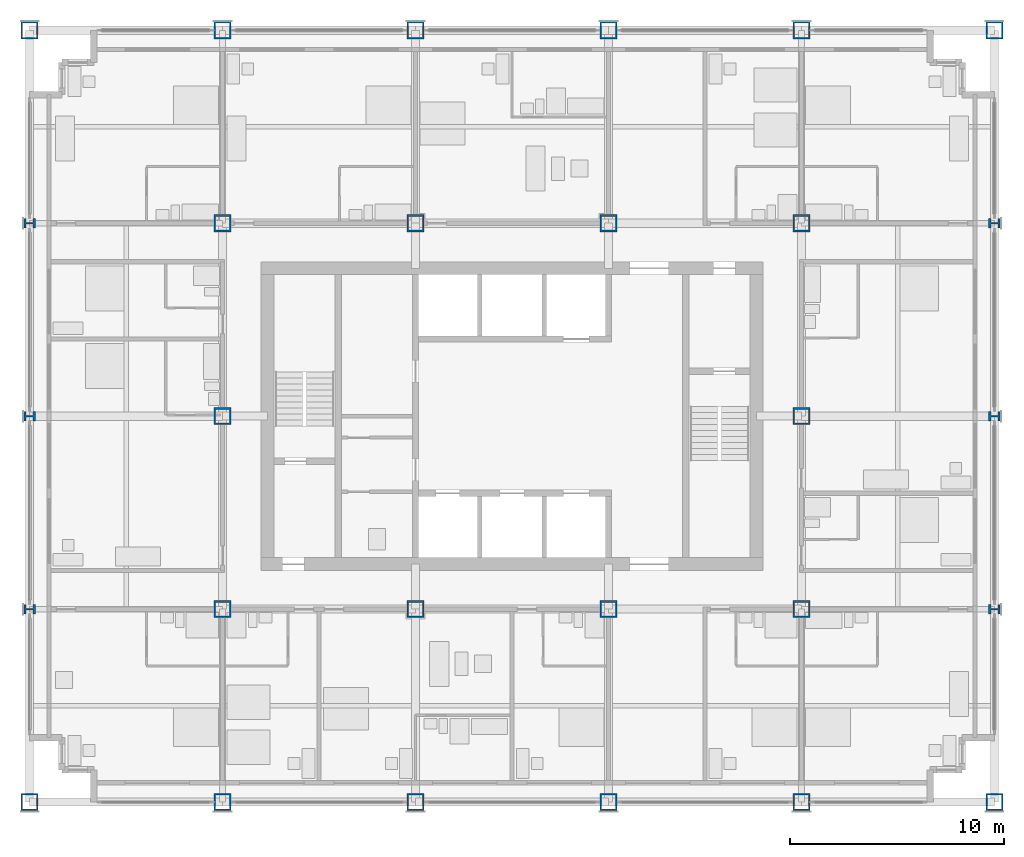
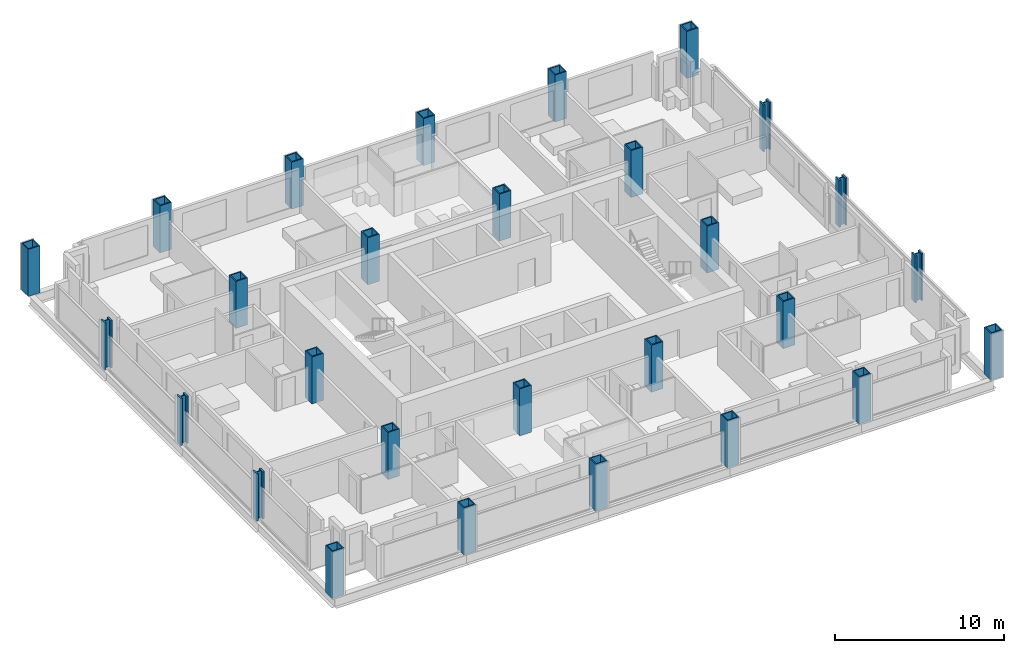
# One storey, part 1 of 16: 28 columns.
"""IFC4 building model written with IfcOpenShell, lengths in metres."""

from ifc_helpers import new_model, si_unit, direction, frame, origin, origin_2d, place, context, subcontext, project, spatial, hollow_rectangle, i_section, extrude, material, material_profile, profile_set, type_object, element, save


model = new_model("IFC4")

# Units and contexts
model_context = context("Model", 3, precision=1e-05, world=origin(), true_north=direction((0.0, 1.0)))
body_context = subcontext(model_context, "Body", "Model", "MODEL_VIEW")
ifc_project = project(units=[si_unit("LENGTHUNIT", "METRE"), si_unit("AREAUNIT", "SQUARE_METRE"), si_unit("VOLUMEUNIT", "CUBIC_METRE"), si_unit("PLANEANGLEUNIT", "RADIAN"), si_unit("MASSUNIT", "GRAM", prefix="KILO")], contexts=[model_context])

# Site, building, storey
site_placement = place(None, origin())
site = spatial("IfcSite", under=ifc_project, at=site_placement, CompositionType="ELEMENT")
building_placement = place(site_placement, origin())
building = spatial("IfcBuilding", under=site, at=building_placement, Name="Loomwork Tower", CompositionType="ELEMENT")
storey_placement = place(building_placement, frame((0.0, 0.0, 121.39990234375)))
storey = spatial("IfcBuildingStorey", under=building, at=storey_placement, Name="L32", CompositionType="ELEMENT", Elevation=121.39990234375)

# Columns
ifc_material_1 = material(Name="Steel ASTM A572 Grade 50 plate", Category="steel")
ifc_material_profile_1 = material_profile(ifc_material_1, hollow_rectangle(XDim=0.800048828125, YDim=0.800048828125, WallThickness=0.070068359375, at=origin_2d()), Name="BOX800x70")
ifc_profile_set_1 = profile_set([ifc_material_profile_1], Name="Steel ASTM A572 Grade 50 plate")
column_type_1 = type_object("IfcColumnType", Name="EXOSKELETON PIER BOX800x70", PredefinedType="COLUMN", material=ifc_profile_set_1)
for number, where, z_axis, x_axis, name in (
    (1, (0.0, 0.0, 0.0), (0.0, 0.0, 1.0), (1.0, 0.0, 0.0), "Exoskeleton Pier D/2 L32"),
    (2, (0.0, 36.0, 0.0), (0.0, 0.0, 1.0), (1.0, 0.0, 0.0), "Exoskeleton Pier H/2 L32"),
    (3, (9.0, 0.0, 0.0), (0.0, 0.0, 1.0), (1.0, 0.0, 0.0), "Exoskeleton Pier D/3 L32"),
    (4, (9.0, 36.0, 0.0), (0.0, 0.0, 1.0), (1.0, 0.0, 0.0), "Exoskeleton Pier H/3 L32"),
    (5, (18.0, 0.0, 0.0), (0.0, 0.0, 1.0), (1.0, 0.0, 0.0), "Exoskeleton Pier D/4 L32"),
    (6, (18.0, 36.0, 0.0), (0.0, 0.0, 1.0), (1.0, 0.0, 0.0), "Exoskeleton Pier H/4 L32"),
    (7, (27.0, 0.0, 0.0), (0.0, 0.0, 1.0), (1.0, 0.0, 0.0), "Exoskeleton Pier D/5 L32"),
    (8, (27.0, 36.0, 0.0), (0.0, 0.0, 1.0), (1.0, 0.0, 0.0), "Exoskeleton Pier H/5 L32"),
    (9, (36.0, 0.0, 0.0), (0.0, 0.0, 1.0), (1.0, 0.0, 0.0), "Exoskeleton Pier D/6 L32"),
    (10, (36.0, 36.0, 0.0), (0.0, 0.0, 1.0), (1.0, 0.0, 0.0), "Exoskeleton Pier H/6 L32"),
    (11, (45.0, 0.0, 0.0), (0.0, 0.0, 1.0), (1.0, 0.0, 0.0), "Exoskeleton Pier D/7 L32"),
    (12, (45.0, 36.0, 0.0), (0.0, 0.0, 1.0), (1.0, 0.0, 0.0), "Exoskeleton Pier H/7 L32"),
):
    element("IfcColumn", number, at=place(storey_placement, frame(where, z_axis=z_axis, x_axis=x_axis)), inside=storey, type_object=column_type_1, Name=name, PredefinedType="COLUMN", context=body_context, shape_type="SweptSolid", body=[
        extrude(hollow_rectangle(XDim=0.800048828125, YDim=0.800048828125, WallThickness=0.070068359375, at=origin_2d()), origin(), (0.0, 0.0, 1.0), 3.400146484375),
    ])
ifc_material_2 = material(Name="Steel ASTM A992", Category="steel")
ifc_material_profile_2 = material_profile(ifc_material_2, i_section(OverallWidth=0.449462890625, OverallDepth=0.548583984375, WebThickness=0.07177734375, FlangeThickness=0.11474609375, at=origin_2d()), Name="W14x665")
ifc_profile_set_2 = profile_set([ifc_material_profile_2], Name="Steel ASTM A992")
column_type_2 = type_object("IfcColumnType", Name="EXOSKELETON PIER W14x665", PredefinedType="COLUMN", material=ifc_profile_set_2)
for number, where, z_axis, x_axis, name in (
    (13, (0.0, 9.0, 0.0), (0.0, 0.0, 1.0), (0.0, 1.0, 0.0), "Exoskeleton Pier E/2 L32"),
    (14, (0.0, 18.0, 0.0), (0.0, 0.0, 1.0), (0.0, 1.0, 0.0), "Exoskeleton Pier F/2 L32"),
    (15, (0.0, 27.0, 0.0), (0.0, 0.0, 1.0), (0.0, 1.0, 0.0), "Exoskeleton Pier G/2 L32"),
    (16, (45.0, 9.0, 0.0), (0.0, 0.0, 1.0), (0.0, 1.0, 0.0), "Exoskeleton Pier E/7 L32"),
    (17, (45.0, 18.0, 0.0), (0.0, 0.0, 1.0), (0.0, 1.0, 0.0), "Exoskeleton Pier F/7 L32"),
    (18, (45.0, 27.0, 0.0), (0.0, 0.0, 1.0), (0.0, 1.0, 0.0), "Exoskeleton Pier G/7 L32"),
):
    element("IfcColumn", number, at=place(storey_placement, frame(where, z_axis=z_axis, x_axis=x_axis)), inside=storey, type_object=column_type_2, Name=name, PredefinedType="COLUMN", context=body_context, shape_type="SweptSolid", body=[
        extrude(i_section(OverallWidth=0.449462890625, OverallDepth=0.548583984375, WebThickness=0.07177734375, FlangeThickness=0.11474609375, at=origin_2d()), origin(), (0.0, 0.0, 1.0), 3.400146484375),
    ])
ifc_material_3 = material(Name="Steel ASTM A572 Grade 50 plate", Category="steel")
ifc_material_profile_3 = material_profile(ifc_material_3, hollow_rectangle(XDim=0.800048828125, YDim=0.800048828125, WallThickness=0.080078125, at=origin_2d()), Name="BOX800x80")
ifc_profile_set_3 = profile_set([ifc_material_profile_3], Name="Steel ASTM A572 Grade 50 plate")
column_type_3 = type_object("IfcColumnType", Name="TOWER COLUMN BOX800x80", PredefinedType="COLUMN", material=ifc_profile_set_3)
for number, where, z_axis, x_axis, name in (
    (19, (9.0, 9.0, 0.0), (0.0, 0.0, 1.0), (1.0, 0.0, 0.0), "Tower Column E/3 L32"),
    (20, (9.0, 18.0, 0.0), (0.0, 0.0, 1.0), (1.0, 0.0, 0.0), "Tower Column F/3 L32"),
    (21, (9.0, 27.0, 0.0), (0.0, 0.0, 1.0), (1.0, 0.0, 0.0), "Tower Column G/3 L32"),
    (22, (18.0, 9.0, 0.0), (0.0, 0.0, 1.0), (1.0, 0.0, 0.0), "Tower Column E/4 L32"),
    (23, (18.0, 27.0, 0.0), (0.0, 0.0, 1.0), (1.0, 0.0, 0.0), "Tower Column G/4 L32"),
    (24, (27.0, 9.0, 0.0), (0.0, 0.0, 1.0), (1.0, 0.0, 0.0), "Tower Column E/5 L32"),
    (25, (27.0, 27.0, 0.0), (0.0, 0.0, 1.0), (1.0, 0.0, 0.0), "Tower Column G/5 L32"),
    (26, (36.0, 9.0, 0.0), (0.0, 0.0, 1.0), (0.0, 1.0, 0.0), "Tower Column E/6 L32"),
    (27, (36.0, 18.0, 0.0), (0.0, 0.0, 1.0), (0.0, 1.0, 0.0), "Tower Column F/6 L32"),
    (28, (36.0, 27.0, 0.0), (0.0, 0.0, 1.0), (1.0, 0.0, 0.0), "Tower Column G/6 L32"),
):
    element("IfcColumn", number, at=place(storey_placement, frame(where, z_axis=z_axis, x_axis=x_axis)), inside=storey, type_object=column_type_3, Name=name, PredefinedType="COLUMN", context=body_context, shape_type="SweptSolid", body=[
        extrude(hollow_rectangle(XDim=0.800048828125, YDim=0.800048828125, WallThickness=0.080078125, at=origin_2d()), origin(), (0.0, 0.0, 1.0), 3.400146484375),
    ])

save(model, "model.ifc")
